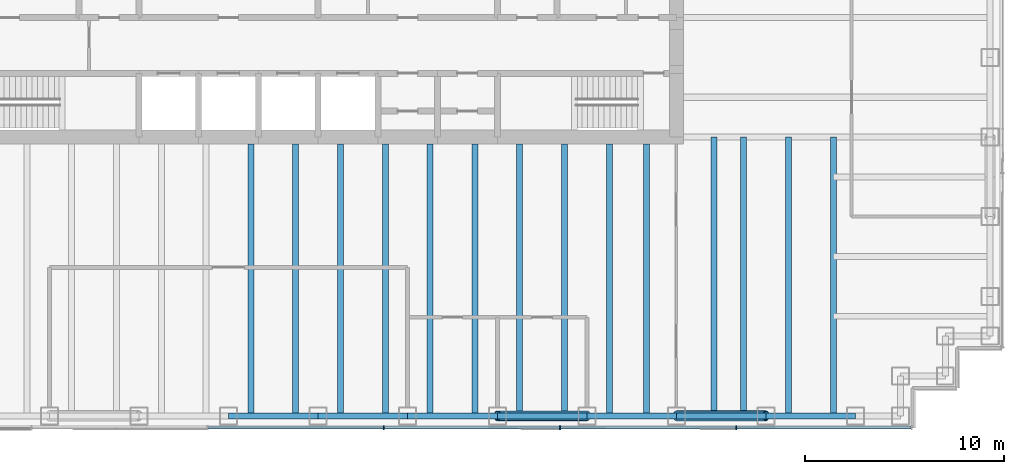
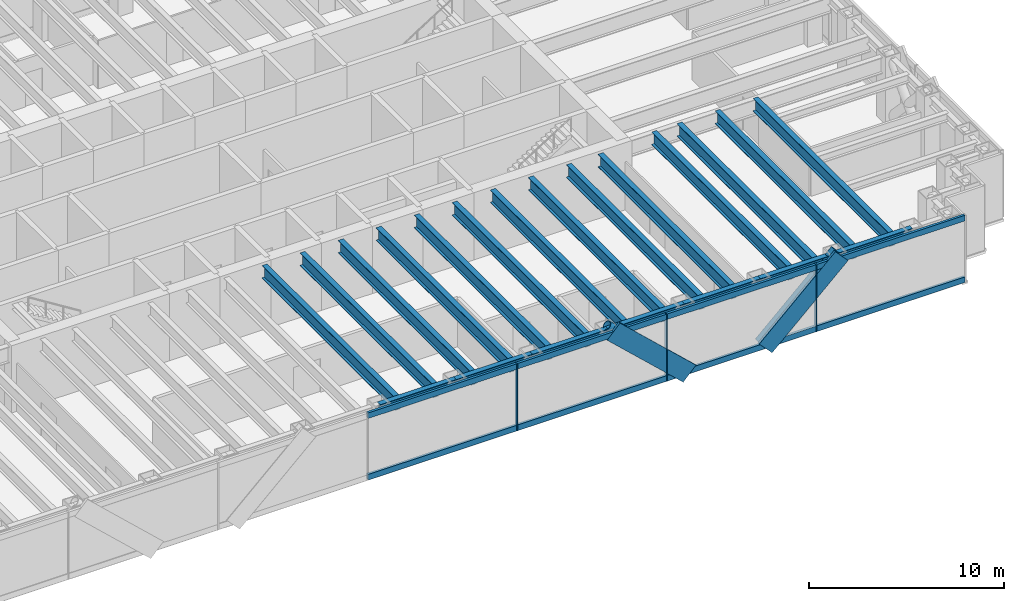
# One storey, part 4 of 17: 21 beams, 15 members, 1 element without a shape of its own.
"""IFC4 building model written with IfcOpenShell, lengths in metres."""

from ifc_helpers import new_model, si_unit, direction, frame, origin, origin_2d, place, context, subcontext, project, spatial, rectangle, hollow_circle, i_section, extrude, material, material_profile, profile_set, type_object, element, aggregate, save


model = new_model("IFC4")

# Units and contexts
model_context = context("Model", 3, precision=1e-05, world=origin(), true_north=direction((0.0, 1.0)))
body_context = subcontext(model_context, "Body", "Model", "MODEL_VIEW")
ifc_project = project(units=[si_unit("LENGTHUNIT", "METRE"), si_unit("AREAUNIT", "SQUARE_METRE"), si_unit("VOLUMEUNIT", "CUBIC_METRE"), si_unit("PLANEANGLEUNIT", "RADIAN"), si_unit("MASSUNIT", "GRAM", prefix="KILO")], contexts=[model_context])

# Site, building, storey
site_placement = place(None, origin())
site = spatial("IfcSite", under=ifc_project, at=site_placement, CompositionType="ELEMENT")
building_placement = place(site_placement, origin())
building = spatial("IfcBuilding", under=site, at=building_placement, Name="Rheinbord Bourse Tower", CompositionType="ELEMENT")
storey_placement = place(building_placement, frame((0.0, 0.0, 321.5)))
storey = spatial("IfcBuildingStorey", under=building, at=storey_placement, Name="L73", CompositionType="ELEMENT", Elevation=321.5)

# Curtain wall, members
ifc_material_1 = material(Name="Dark glass and black aluminium", Category="aluminium")
curtain_wall_type = type_object("IfcCurtainWallType", Name="CW3 DARK GLASS CURTAIN WALL", PredefinedType="USERDEFINED", material=ifc_material_1)
curtain_wall_placement = place(storey_placement, origin())
curtain_wall = element("IfcCurtainWall", 1, at=curtain_wall_placement, inside=storey, type_object=curtain_wall_type, Name="Curtain wall CW3 S L73", ObjectType="UNITISED CURTAIN WALL", PredefinedType="USERDEFINED")
ifc_material_2 = material(Name="Black anodised aluminium", Category="aluminium")
ifc_material_profile_1 = material_profile(ifc_material_2, rectangle(XDim=0.14990234375, YDim=1.10791015625, at=origin_2d()), Name="CW3 DIAGONAL MULLION 1108x150")
ifc_profile_set_1 = profile_set([ifc_material_profile_1], Name="Black anodised aluminium")
member_type_1 = type_object("IfcMemberType", Name="CW3 BLACK DIAGONAL MULLION", PredefinedType="USERDEFINED", material=ifc_profile_set_1)
member_1_placement = place(storey_placement, frame((49.5, 1.39990234375, 0.0), z_axis=(-0.73105922506, 0.0, 0.682314010889), x_axis=(0.0, -1.0, 0.0)))
member_1 = element("IfcMember", 2, at=member_1_placement, type_object=member_type_1, Name="CW3 diagonal mullion a", ObjectType="DIAGONAL MULLION", PredefinedType="USERDEFINED", context=body_context, shape_type="SweptSolid", body=[
    extrude(rectangle(XDim=0.14990234375, YDim=1.10791015625, at=origin_2d()), origin(), (0.0, 0.0, 1.0), 6.155517578125),
])
member_2_placement = place(storey_placement, frame((54.0, 1.39990234375, 0.0), z_axis=(0.73105922506, 0.0, 0.682314010889), x_axis=(0.0, 1.0, 0.0)))
member_2 = element("IfcMember", 3, at=member_2_placement, type_object=member_type_1, Name="CW3 diagonal mullion d", ObjectType="DIAGONAL MULLION", PredefinedType="USERDEFINED", context=body_context, shape_type="SweptSolid", body=[
    extrude(rectangle(XDim=0.14990234375, YDim=1.10791015625, at=origin_2d()), origin(), (0.0, 0.0, 1.0), 6.155517578125),
])
ifc_material_3 = material(Name="Black anodised aluminium", Category="aluminium")
ifc_material_profile_2 = material_profile(ifc_material_3, rectangle(XDim=0.199951171875, YDim=0.06494140625, at=origin_2d()), Name="CW3 MULLION 65x200")
ifc_profile_set_2 = profile_set([ifc_material_profile_2], Name="Black anodised aluminium")
member_type_2 = type_object("IfcMemberType", Name="CW3 BLACK MULLION", PredefinedType="MULLION", material=ifc_profile_set_2)
member_3_placement = place(storey_placement, frame((39.300048828125, 1.39990234375, 0.0), z_axis=(0.0, 0.0, 1.0), x_axis=(0.0, 1.0, 0.0)))
member_3 = element("IfcMember", 4, at=member_3_placement, type_object=member_type_2, Name="CW3 mullion 5", PredefinedType="MULLION", context=body_context, shape_type="SweptSolid", body=[
    extrude(rectangle(XDim=0.199951171875, YDim=0.06494140625, at=origin_2d()), origin(), (0.0, 0.0, 1.0), 4.199951171875),
])
member_4_placement = place(storey_placement, frame((48.14990234375, 1.39990234375, 0.0), z_axis=(0.0, 0.0, 1.0), x_axis=(0.0, 1.0, 0.0)))
member_4 = element("IfcMember", 5, at=member_4_placement, type_object=member_type_2, Name="CW3 mullion 6", PredefinedType="MULLION", context=body_context, shape_type="SweptSolid", body=[
    extrude(rectangle(XDim=0.199951171875, YDim=0.06494140625, at=origin_2d()), origin(), (0.0, 0.0, 1.0), 4.199951171875),
])
member_5_placement = place(storey_placement, frame((57.0, 1.39990234375, 0.0), z_axis=(0.0, 0.0, 1.0), x_axis=(0.0, 1.0, 0.0)))
member_5 = element("IfcMember", 6, at=member_5_placement, type_object=member_type_2, Name="CW3 mullion 7", PredefinedType="MULLION", context=body_context, shape_type="SweptSolid", body=[
    extrude(rectangle(XDim=0.199951171875, YDim=0.06494140625, at=origin_2d()), origin(), (0.0, 0.0, 1.0), 4.199951171875),
])
ifc_material_4 = material(Name="Black anodised aluminium", Category="aluminium")
ifc_material_profile_3 = material_profile(ifc_material_4, rectangle(XDim=0.14990234375, YDim=0.35009765625, at=origin_2d()), Name="CW3 TRANSOM 350x150")
ifc_profile_set_3 = profile_set([ifc_material_profile_3], Name="Black anodised aluminium")
member_type_3 = type_object("IfcMemberType", Name="CW3 BLACK TRANSOM", PredefinedType="USERDEFINED", material=ifc_profile_set_3)
member_6_placement = place(storey_placement, frame((30.482421875, 1.39990234375, 0.175048828125), z_axis=(1.0, 0.0, 0.0), x_axis=(0.0, 1.0, 0.0)))
member_6 = element("IfcMember", 7, at=member_6_placement, type_object=member_type_3, Name="CW3 transom 4.1", ObjectType="TRANSOM", PredefinedType="USERDEFINED", context=body_context, shape_type="SweptSolid", body=[
    extrude(rectangle(XDim=0.14990234375, YDim=0.35009765625, at=origin_2d()), origin(), (0.0, 0.0, 1.0), 8.78515625),
])
member_7_placement = place(storey_placement, frame((30.482421875, 1.39990234375, 4.02490234375), z_axis=(1.0, 0.0, 0.0), x_axis=(0.0, 1.0, 0.0)))
member_7 = element("IfcMember", 8, at=member_7_placement, type_object=member_type_3, Name="CW3 transom 4.2", ObjectType="TRANSOM", PredefinedType="USERDEFINED", context=body_context, shape_type="SweptSolid", body=[
    extrude(rectangle(XDim=0.14990234375, YDim=0.35009765625, at=origin_2d()), origin(), (0.0, 0.0, 1.0), 8.78515625),
])
member_8_placement = place(storey_placement, frame((39.33251953125, 1.39990234375, 0.175048828125), z_axis=(1.0, 0.0, 0.0), x_axis=(0.0, 1.0, 0.0)))
member_8 = element("IfcMember", 9, at=member_8_placement, type_object=member_type_3, Name="CW3 transom 5.1", ObjectType="TRANSOM", PredefinedType="USERDEFINED", context=body_context, shape_type="SweptSolid", body=[
    extrude(rectangle(XDim=0.14990234375, YDim=0.35009765625, at=origin_2d()), origin(), (0.0, 0.0, 1.0), 8.784912109375),
])
member_9_placement = place(storey_placement, frame((39.33251953125, 1.39990234375, 4.02490234375), z_axis=(1.0, 0.0, 0.0), x_axis=(0.0, 1.0, 0.0)))
member_9 = element("IfcMember", 10, at=member_9_placement, type_object=member_type_3, Name="CW3 transom 5.2", ObjectType="TRANSOM", PredefinedType="USERDEFINED", context=body_context, shape_type="SweptSolid", body=[
    extrude(rectangle(XDim=0.14990234375, YDim=0.35009765625, at=origin_2d()), origin(), (0.0, 0.0, 1.0), 8.784912109375),
])
member_10_placement = place(storey_placement, frame((48.1826171875, 1.39990234375, 0.175048828125), z_axis=(1.0, 0.0, 0.0), x_axis=(0.0, 1.0, 0.0)))
member_10 = element("IfcMember", 11, at=member_10_placement, type_object=member_type_3, Name="CW3 transom 6.1", ObjectType="TRANSOM", PredefinedType="USERDEFINED", context=body_context, shape_type="SweptSolid", body=[
    extrude(rectangle(XDim=0.14990234375, YDim=0.35009765625, at=origin_2d()), origin(), (0.0, 0.0, 1.0), 8.784912109375),
])
member_11_placement = place(storey_placement, frame((48.1826171875, 1.39990234375, 4.02490234375), z_axis=(1.0, 0.0, 0.0), x_axis=(0.0, 1.0, 0.0)))
member_11 = element("IfcMember", 12, at=member_11_placement, type_object=member_type_3, Name="CW3 transom 6.2", ObjectType="TRANSOM", PredefinedType="USERDEFINED", context=body_context, shape_type="SweptSolid", body=[
    extrude(rectangle(XDim=0.14990234375, YDim=0.35009765625, at=origin_2d()), origin(), (0.0, 0.0, 1.0), 8.784912109375),
])
member_12_placement = place(storey_placement, frame((57.032470703125, 1.39990234375, 0.175048828125), z_axis=(1.0, 0.0, 0.0), x_axis=(0.0, 1.0, 0.0)))
member_12 = element("IfcMember", 13, at=member_12_placement, type_object=member_type_3, Name="CW3 transom 7.1", ObjectType="TRANSOM", PredefinedType="USERDEFINED", context=body_context, shape_type="SweptSolid", body=[
    extrude(rectangle(XDim=0.14990234375, YDim=0.35009765625, at=origin_2d()), origin(), (0.0, 0.0, 1.0), 8.75244140625),
])
member_13_placement = place(storey_placement, frame((57.032470703125, 1.39990234375, 4.02490234375), z_axis=(1.0, 0.0, 0.0), x_axis=(0.0, 1.0, 0.0)))
member_13 = element("IfcMember", 14, at=member_13_placement, type_object=member_type_3, Name="CW3 transom 7.2", ObjectType="TRANSOM", PredefinedType="USERDEFINED", context=body_context, shape_type="SweptSolid", body=[
    extrude(rectangle(XDim=0.14990234375, YDim=0.35009765625, at=origin_2d()), origin(), (0.0, 0.0, 1.0), 8.75244140625),
])
aggregate(curtain_wall, [member_3, member_4, member_5, member_6, member_7, member_8, member_9, member_10, member_11, member_12, member_13, member_1, member_2])

# Beams
ifc_material_5 = material(Name="Steel S460", Category="steel")
ifc_material_profile_4 = material_profile(ifc_material_5, i_section(OverallWidth=0.300048828125, OverallDepth=0.800048828125, WebThickness=0.017578125, FlangeThickness=0.032958984375, at=origin_2d()), Name="HEB 800")
ifc_profile_set_4 = profile_set([ifc_material_profile_4], Name="Steel S460")
beam_type_1 = type_object("IfcBeamType", Name="FLOOR BEAM HEB 800", PredefinedType="BEAM", material=ifc_profile_set_4)
for number, where, z_axis, x_axis, name in (
    (15, (32.625, 2.0, 3.639892578125), (0.0, 1.0, 0.0), (-1.0, 0.0, 0.0), "Floor beam S-31.5a L74"),
    (16, (34.875, 2.0, 3.639892578125), (0.0, 1.0, 0.0), (-1.0, 0.0, 0.0), "Floor beam S-31.5b L74"),
    (17, (37.125, 2.0, 3.639892578125), (0.0, 1.0, 0.0), (-1.0, 0.0, 0.0), "Floor beam S-36a L74"),
    (18, (39.375, 2.0, 3.639892578125), (0.0, 1.0, 0.0), (-1.0, 0.0, 0.0), "Floor beam S-36b L74"),
    (19, (41.625, 2.0, 3.639892578125), (0.0, 1.0, 0.0), (-1.0, 0.0, 0.0), "Floor beam S-40.5a L74"),
    (20, (43.875, 2.0, 3.639892578125), (0.0, 1.0, 0.0), (-1.0, 0.0, 0.0), "Floor beam S-40.5b L74"),
    (21, (46.125, 2.0, 3.639892578125), (0.0, 1.0, 0.0), (-1.0, 0.0, 0.0), "Floor beam S-45a L74"),
    (22, (48.375, 2.0, 3.639892578125), (0.0, 1.0, 0.0), (-1.0, 0.0, 0.0), "Floor beam S-45b L74"),
    (23, (50.625, 2.0, 3.639892578125), (0.0, 1.0, 0.0), (-1.0, 0.0, 0.0), "Floor beam S-49.5a L74"),
    (24, (52.5, 2.0, 3.639892578125), (0.0, 1.0, 0.0), (-1.0, 0.0, 0.0), "Floor beam S-49.5b L74"),
):
    element("IfcBeam", number, at=place(storey_placement, frame(where, z_axis=z_axis, x_axis=x_axis)), inside=storey, type_object=beam_type_1, Name=name, PredefinedType="BEAM", context=body_context, shape_type="SweptSolid", body=[
        extrude(i_section(OverallWidth=0.300048828125, OverallDepth=0.800048828125, WebThickness=0.017578125, FlangeThickness=0.032958984375, at=origin_2d()), origin(), (0.0, 0.0, 1.0), 13.64990234375),
    ])
for number, where, z_axis, x_axis, name in (
    (25, (55.875, 2.0, 3.639892578125), (0.0, 1.0, 0.0), (-1.0, 0.0, 0.0), "Floor beam S-54a L74"),
    (26, (57.375, 2.0, 3.639892578125), (0.0, 1.0, 0.0), (-1.0, 0.0, 0.0), "Floor beam S-54b L74"),
    (27, (59.625, 2.0, 3.639892578125), (0.0, 1.0, 0.0), (-1.0, 0.0, 0.0), "Floor beam S-58.5a L74"),
    (28, (61.875, 2.0, 3.639892578125), (0.0, 1.0, 0.0), (-1.0, 0.0, 0.0), "Floor beam S-58.5b L74"),
):
    element("IfcBeam", number, at=place(storey_placement, frame(where, z_axis=z_axis, x_axis=x_axis)), inside=storey, type_object=beam_type_1, Name=name, PredefinedType="BEAM", context=body_context, shape_type="SweptSolid", body=[
        extrude(i_section(OverallWidth=0.300048828125, OverallDepth=0.800048828125, WebThickness=0.017578125, FlangeThickness=0.032958984375, at=origin_2d()), origin(), (0.0, 0.0, 1.0), 14.0),
    ])

# Members
ifc_material_6 = material(Name="Steel S460", Category="steel")
ifc_material_profile_5 = material_profile(ifc_material_6, hollow_circle(Radius=0.25390625, WallThickness=0.030029296875, at=origin_2d()), Name="CHS 508x30")
ifc_profile_set_5 = profile_set([ifc_material_profile_5], Name="Steel S460")
member_type_4 = type_object("IfcMemberType", Name="MEGABRACE CHS 508x30", PredefinedType="BRACE", material=ifc_profile_set_5)
for number, where, z_axis, x_axis, name in (
    (29, (49.5, 2.0, 0.0), (-0.73105922506, 0.0, 0.682314010889), (0.0, -1.0, 0.0), "Megabrace S face line a L73"),
    (30, (54.0, 2.0, 0.0), (0.73105922506, 0.0, 0.682314010889), (0.0, 1.0, 0.0), "Megabrace S face line d L73"),
):
    element("IfcMember", number, at=place(storey_placement, frame(where, z_axis=z_axis, x_axis=x_axis)), inside=storey, type_object=member_type_4, Name=name, PredefinedType="BRACE", context=body_context, shape_type="SweptSolid", body=[
        extrude(hollow_circle(Radius=0.25390625, WallThickness=0.030029296875, at=origin_2d()), origin(), (0.0, 0.0, 1.0), 6.155517578125),
    ])

# Beams
ifc_material_7 = material(Name="Steel S460", Category="steel")
ifc_material_profile_6 = material_profile(ifc_material_7, i_section(OverallWidth=0.300048828125, OverallDepth=0.550048828125, WebThickness=0.014892578125, FlangeThickness=0.029052734375, at=origin_2d()), Name="HEB 550")
ifc_profile_set_6 = profile_set([ifc_material_profile_6], Name="Steel S460")
beam_type_2 = type_object("IfcBeamType", Name="SPANDREL HEB 550", PredefinedType="SPANDREL", material=ifc_profile_set_6)
for number, where, z_axis, x_axis, name in (
    (31, (31.5, 2.0, 3.764892578125), (1.0, 0.0, 0.0), (0.0, 1.0, 0.0), "Spandrel S-31.5-S-36 under L74"),
    (32, (36.0, 2.0, 3.764892578125), (1.0, 0.0, 0.0), (0.0, 1.0, 0.0), "Spandrel S-36-S-40.5 under L74"),
    (33, (40.5, 2.0, 3.764892578125), (1.0, 0.0, 0.0), (0.0, 1.0, 0.0), "Spandrel S-40.5-S-45 under L74"),
    (34, (45.0, 2.0, 3.764892578125), (1.0, 0.0, 0.0), (0.0, 1.0, 0.0), "Spandrel S-45-S-49.5 under L74"),
    (35, (49.5, 2.0, 3.764892578125), (1.0, 0.0, 0.0), (0.0, 1.0, 0.0), "Spandrel S-49.5-S-54 under L74"),
    (36, (54.0, 2.0, 3.764892578125), (1.0, 0.0, 0.0), (0.0, 1.0, 0.0), "Spandrel S-54-S-58.5 under L74"),
    (37, (58.5, 2.0, 3.764892578125), (1.0, 0.0, 0.0), (0.0, 1.0, 0.0), "Spandrel S-58.5-S-63 under L74"),
):
    element("IfcBeam", number, at=place(storey_placement, frame(where, z_axis=z_axis, x_axis=x_axis)), inside=storey, type_object=beam_type_2, Name=name, PredefinedType="SPANDREL", context=body_context, shape_type="SweptSolid", body=[
        extrude(i_section(OverallWidth=0.300048828125, OverallDepth=0.550048828125, WebThickness=0.014892578125, FlangeThickness=0.029052734375, at=origin_2d()), origin(), (0.0, 0.0, 1.0), 4.5),
    ])

save(model, "model.ifc")
